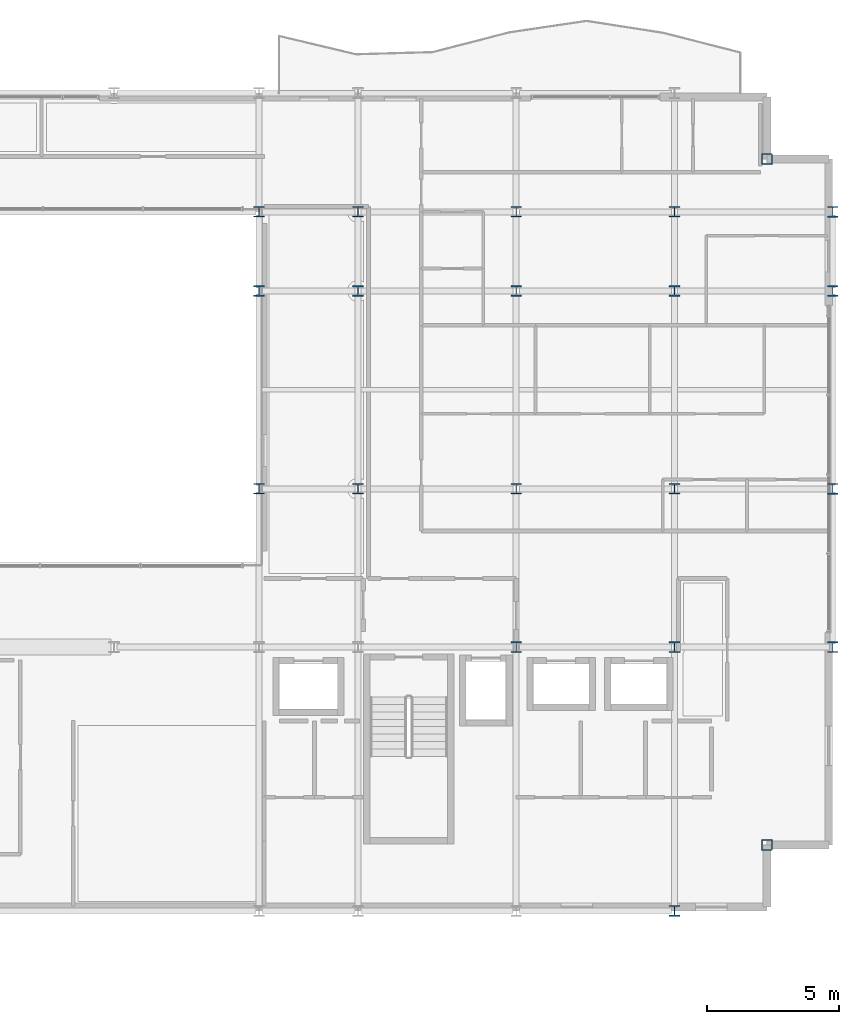
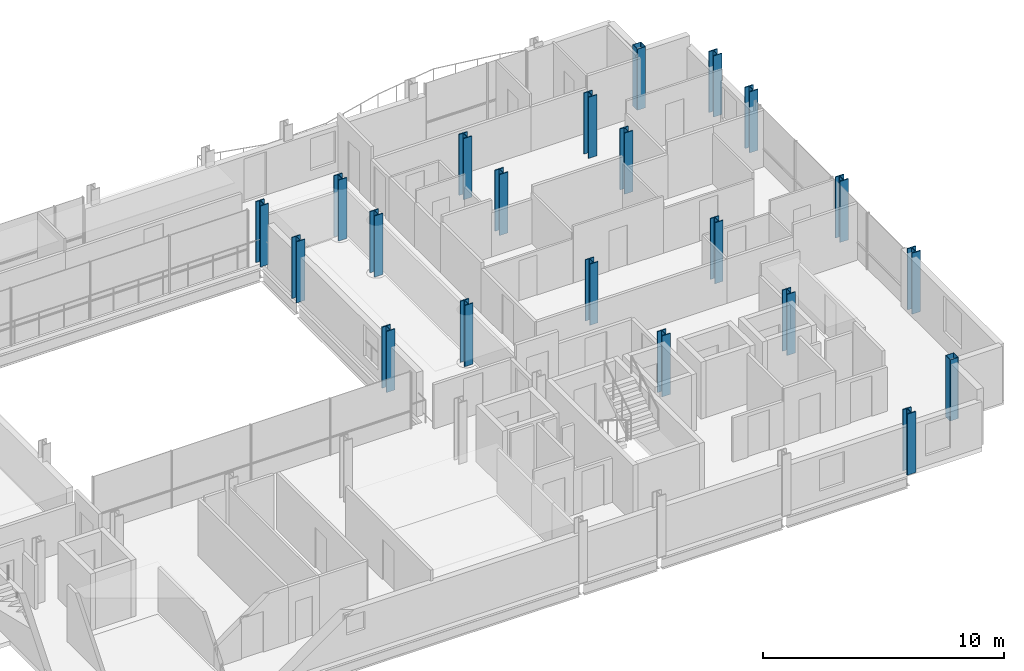
# One storey, part 2 of 41: 21 columns.
"""IFC4 building model written with IfcOpenShell, lengths in metres."""

import ifcopenshell
import ifcopenshell.guid

model = None  # the IFC model being written
_history = None  # IfcOwnerHistory: only IFC2X3 demands one
_inside = {}  # id of a spatial element -> (the spatial element, [elements in it])
_under = {}  # id of a project, library or spatial element -> (it, [spatial elements below it])
_declared = {}  # id of a project -> (the project, [libraries it declares])
_typed = {}  # id of a type object -> (the type object, [elements of that type])
_made_of = {}  # id of a material, layer set ... -> (it, [elements and type objects made of it])


def new_model(schema):
    """Start an empty IFC model of exactly this schema.

    Asked for "IFC4X3", IfcOpenShell would pick the latest addendum, in which some entities
    have other attributes; the version numbers below select the first issue.
    IFC2X3 requires an IfcOwnerHistory on every rooted entity: one is made here for all.
    """
    global model, _history
    if schema == "IFC4X3":
        model = ifcopenshell.file(schema_version=(4, 3, 0, 0))
    else:
        model = ifcopenshell.file(schema=schema)
    _inside.clear()
    _under.clear()
    _declared.clear()
    _typed.clear()
    _made_of.clear()
    _history = None
    if model.schema == "IFC2X3":
        org = make("IfcOrganization", Name="unknown")
        user = make(
            "IfcPersonAndOrganization",
            ThePerson=make("IfcPerson", FamilyName="unknown"),
            TheOrganization=org,
        )
        app = make(
            "IfcApplication",
            ApplicationDeveloper=org,
            Version="unknown",
            ApplicationFullName="unknown",
            ApplicationIdentifier="unknown",
        )
        _history = make(
            "IfcOwnerHistory",
            OwningUser=user,
            OwningApplication=app,
            ChangeAction="ADDED",
            CreationDate=0,
        )
    return model


def make(cls, **values):
    """One entity of the class cls with the attributes given. An attribute that is None is left unset."""
    return model.create_entity(
        cls, **{name: value for name, value in values.items() if value is not None}
    )


def rooted(cls, **values):
    """An entity with a GlobalId (a new one), such as an element, a storey or a relation."""
    return make(cls, GlobalId=ifcopenshell.guid.new(), OwnerHistory=_history, **values)


def si_unit(unit_type, name, prefix=None):
    """IfcSIUnit, for example si_unit("LENGTHUNIT", "METRE", prefix="MILLI")."""
    return make("IfcSIUnit", UnitType=unit_type, Prefix=prefix, Name=name)


def assignment(units):
    """IfcUnitAssignment: the units of a project."""
    return None if units is None else make("IfcUnitAssignment", Units=units)


def point(xyz):
    """IfcCartesianPoint."""
    return None if xyz is None else make("IfcCartesianPoint", Coordinates=xyz)


def direction(xyz):
    """IfcDirection."""
    return None if xyz is None else make("IfcDirection", DirectionRatios=xyz)


def frame(location, z_axis=None, x_axis=None):
    """IfcAxis2Placement3D, a coordinate frame: its origin and axes. An axis left out is left unset."""
    return make(
        "IfcAxis2Placement3D",
        Location=point(location),
        Axis=direction(z_axis),
        RefDirection=direction(x_axis),
    )


def frame_2d(location, x_axis=None):
    """IfcAxis2Placement2D, a coordinate frame in the plane: its origin and x axis."""
    return make(
        "IfcAxis2Placement2D", Location=point(location), RefDirection=direction(x_axis)
    )


def origin():
    """The frame at (0, 0, 0) with its axes left unset."""
    return frame((0.0, 0.0, 0.0))


def origin_2d():
    """The frame at (0, 0) in the plane with its x axis left unset."""
    return frame_2d((0.0, 0.0))


def place(relative_to, where):
    """IfcLocalPlacement: puts the frame where relative to a parent placement (None: the world)."""
    return make(
        "IfcLocalPlacement", PlacementRelTo=relative_to, RelativePlacement=where
    )


def context(
    kind, dimensions, precision=None, world=None, true_north=None, identifier=None
):
    """IfcGeometricRepresentationContext, for example the 3D "Model" context."""
    return make(
        "IfcGeometricRepresentationContext",
        ContextIdentifier=identifier,
        ContextType=kind,
        CoordinateSpaceDimension=dimensions,
        Precision=precision,
        WorldCoordinateSystem=world,
        TrueNorth=true_north,
    )


def subcontext(parent, identifier, kind, view, scale=None):
    """IfcGeometricRepresentationSubContext, for example "Body" below "Model"."""
    return make(
        "IfcGeometricRepresentationSubContext",
        ContextIdentifier=identifier,
        ContextType=kind,
        ParentContext=parent,
        TargetScale=scale,
        TargetView=view,
    )


def project(units=None, contexts=None):
    """IfcProject with its units and contexts."""
    return rooted(
        "IfcProject",
        Name="project",
        RepresentationContexts=contexts,
        UnitsInContext=assignment(units),
    )


def spatial(cls, under=None, at=None, **own):
    """A site, building, storey or space (cls), placed at a placement, below another one or the project."""
    s = rooted(cls, ObjectPlacement=at, **own)
    if under is not None:
        _under.setdefault(under.id(), (under, []))[1].append(s)
    return s


def profile(cls, at=None, kind="AREA", **sizes):
    """A parametric profile (cls). Its sizes go by their IFC names, for example OverallWidth=200.0."""
    return make(cls, ProfileType=kind, Position=at, **sizes)


def hollow_rectangle(**sizes):
    """IfcRectangleHollowProfileDef."""
    return profile("IfcRectangleHollowProfileDef", **sizes)


def i_section(**sizes):
    """IfcIShapeProfileDef."""
    return profile("IfcIShapeProfileDef", **sizes)


def extrude(swept, where, along, depth):
    """IfcExtrudedAreaSolid: the profile swept, set in the frame where, extruded along a direction by depth."""
    return make(
        "IfcExtrudedAreaSolid",
        SweptArea=swept,
        Position=where,
        ExtrudedDirection=direction(along),
        Depth=depth,
    )


def shape(context_of_items, identifier, shape_type, items):
    """IfcShapeRepresentation: the items that make up one representation, for example the "Body"."""
    return make(
        "IfcShapeRepresentation",
        ContextOfItems=context_of_items,
        RepresentationIdentifier=identifier,
        RepresentationType=shape_type,
        Items=items,
    )


def material(Name=None, Category=None):
    """IfcMaterial."""
    return make("IfcMaterial", Name=Name, Category=Category)


def material_profile(
    of_material, cross_section, Name=None, Category=None, Priority=None
):
    """IfcMaterialProfile: a cross section and its material."""
    return make(
        "IfcMaterialProfile",
        Name=Name,
        Material=of_material,
        Profile=cross_section,
        Priority=Priority,
        Category=Category,
    )


def profile_set(profiles, Name=None, composite=None):
    """IfcMaterialProfileSet."""
    return make(
        "IfcMaterialProfileSet",
        Name=Name,
        MaterialProfiles=profiles,
        CompositeProfile=composite,
    )


def made_of(thing, what):
    """Note that an element or type object is made of a material, layer set ...; save() writes the relation."""
    if what is not None:
        _made_of.setdefault(what.id(), (what, []))[1].append(thing)
    return thing


def type_object(cls, material=None, **own):
    """A type object (cls), such as IfcWallType, which elements share."""
    return made_of(rooted(cls, **own), material)


def element(
    cls,
    number,
    at=None,
    inside=None,
    cuts=None,
    type_object=None,
    material=None,
    context=None,
    identifier="Body",
    shape_type=None,
    held_by="IfcProductDefinitionShape",
    body=None,
    shapes=None,
    **own,
):
    """One element of the class cls, such as IfcWall. Its Tag is "e" and its number.

    at: its placement. inside: the storey or other place that contains it. cuts: it is an
    opening in that element (IfcRelVoidsElement). A single representation is given by context,
    identifier, shape_type and body (its items); several are given by shapes. held_by: the class
    of the entity that holds the representations. save() writes the other relations.
    """
    e = rooted(cls, Tag="e%d" % number, ObjectPlacement=at, **own)
    if body is not None:
        shapes = [shape(context, identifier, shape_type, body)]
    if shapes is not None:
        e.Representation = make(held_by, Representations=shapes)
    if inside is not None:
        _inside.setdefault(inside.id(), (inside, []))[1].append(e)
    if cuts is not None:
        rooted(
            "IfcRelVoidsElement", RelatingBuildingElement=cuts, RelatedOpeningElement=e
        )
    if type_object is not None:
        _typed.setdefault(type_object.id(), (type_object, []))[1].append(e)
    return made_of(e, material)


def aggregate(whole, parts):
    """IfcRelAggregates: a whole, such as a stair, and the parts it consists of."""
    return rooted("IfcRelAggregates", RelatingObject=whole, RelatedObjects=parts)


def save(model, path):
    """Write the relations noted so far, then the file.

    IfcRelAggregates (storeys below a building ...), IfcRelContainedInSpatialStructure (elements
    in a storey), IfcRelDefinesByType, IfcRelAssociatesMaterial and IfcRelDeclares: one each for
    every whole, place, type object, material and project.
    """
    for whole, parts in _under.values():
        aggregate(whole, parts)
    for where, things in _inside.values():
        rooted(
            "IfcRelContainedInSpatialStructure",
            RelatedElements=things,
            RelatingStructure=where,
        )
    for kind, things in _typed.values():
        rooted("IfcRelDefinesByType", RelatedObjects=things, RelatingType=kind)
    for what, things in _made_of.values():
        rooted("IfcRelAssociatesMaterial", RelatedObjects=things, RelatingMaterial=what)
    for by, libraries in _declared.values():
        rooted("IfcRelDeclares", RelatingContext=by, RelatedDefinitions=libraries)
    model.write(path)


model = new_model("IFC4")

# Units and contexts
model_context = context("Model", 3, precision=1e-05, world=origin(), true_north=direction((0.0, 1.0)))
body_context = subcontext(model_context, "Body", "Model", "MODEL_VIEW")
ifc_project = project(units=[si_unit("LENGTHUNIT", "METRE"), si_unit("AREAUNIT", "SQUARE_METRE"), si_unit("VOLUMEUNIT", "CUBIC_METRE"), si_unit("PLANEANGLEUNIT", "RADIAN"), si_unit("MASSUNIT", "GRAM", prefix="KILO")], contexts=[model_context])

# Site, building, storey
site_placement = place(None, origin())
site = spatial("IfcSite", under=ifc_project, at=site_placement, CompositionType="ELEMENT")
building_placement = place(site_placement, origin())
building = spatial("IfcBuilding", under=site, at=building_placement, Name="Brevholm Reach", CompositionType="ELEMENT")
storey_placement = place(building_placement, frame((0.0, 0.0, 157.300048828125)))
storey = spatial("IfcBuildingStorey", under=building, at=storey_placement, Name="L47", CompositionType="ELEMENT", Elevation=157.300048828125)

# Columns
ifc_material_1 = material(Name="Structural Steel S460NH", Category="steel")
ifc_material_profile_1 = material_profile(ifc_material_1, hollow_rectangle(XDim=0.39990234375, YDim=0.39990234375, WallThickness=0.02001953125, InnerFilletRadius=0.011962890625, OuterFilletRadius=0.02392578125, at=origin_2d()), Name="SHS 400x400x20")
ifc_profile_set_1 = profile_set([ifc_material_profile_1], Name="Structural Steel S460NH")
column_type_1 = type_object("IfcColumnType", Name="COL-SHS2", PredefinedType="COLUMN", material=ifc_profile_set_1)
for number, where, z_axis, x_axis, name in (
    (1, (57.5, 2.5, 0.0), (0.0, 0.0, 1.0), (1.0, 0.0, 0.0), "L47 Column 59"),
    (2, (57.5, 28.5, 0.0), (0.0, 0.0, 1.0), (1.0, 0.0, 0.0), "L47 Column 60"),
):
    element("IfcColumn", number, at=place(storey_placement, frame(where, z_axis=z_axis, x_axis=x_axis)), inside=storey, type_object=column_type_1, Name=name, PredefinedType="COLUMN", context=body_context, shape_type="SweptSolid", body=[
        extrude(hollow_rectangle(XDim=0.39990234375, YDim=0.39990234375, WallThickness=0.02001953125, InnerFilletRadius=0.011962890625, OuterFilletRadius=0.02392578125, at=origin_2d()), origin(), (0.0, 0.0, 1.0), 3.099853515625),
    ])
ifc_material_2 = material(Name="Structural Steel S355J2", Category="steel")
ifc_material_profile_2 = material_profile(ifc_material_2, i_section(OverallWidth=0.406982421875, OverallDepth=0.4189453125, WebThickness=0.030517578125, FlangeThickness=0.04931640625, FilletRadius=0.01513671875, at=origin_2d()), Name="UKC 356x406x393")
ifc_profile_set_2 = profile_set([ifc_material_profile_2], Name="Structural Steel S355J2")
column_type_2 = type_object("IfcColumnType", Name="COL-UC4", PredefinedType="COLUMN", material=ifc_profile_set_2)
for number, where, z_axis, x_axis, name in (
    (3, (54.0, 0.0, 0.0), (0.0, 0.0, 1.0), (1.0, 0.0, 0.0), "L47 Column 53"),
    (4, (60.0, 10.0, 0.0), (0.0, 0.0, 1.0), (1.0, 0.0, 0.0), "L47 Column 61"),
    (5, (60.0, 16.0, 0.0), (0.0, 0.0, 1.0), (1.0, 0.0, 0.0), "L47 Column 62"),
    (6, (60.0, 23.5, 0.0), (0.0, 0.0, 1.0), (1.0, 0.0, 0.0), "L47 Column 63"),
    (7, (60.0, 26.5, 0.0), (0.0, 0.0, 1.0), (1.0, 0.0, 0.0), "L47 Column 64"),
):
    element("IfcColumn", number, at=place(storey_placement, frame(where, z_axis=z_axis, x_axis=x_axis)), inside=storey, type_object=column_type_2, Name=name, PredefinedType="COLUMN", context=body_context, shape_type="SweptSolid", body=[
        extrude(i_section(OverallWidth=0.406982421875, OverallDepth=0.4189453125, WebThickness=0.030517578125, FlangeThickness=0.04931640625, FilletRadius=0.01513671875, at=origin_2d()), origin(), (0.0, 0.0, 1.0), 3.099853515625),
    ])
ifc_material_3 = material(Name="Structural Steel S355J2", Category="steel")
ifc_material_profile_3 = material_profile(ifc_material_3, i_section(OverallWidth=0.403076171875, OverallDepth=0.406494140625, WebThickness=0.026611328125, FlangeThickness=0.04296875, FilletRadius=0.01513671875, at=origin_2d()), Name="UKC 356x406x340")
ifc_profile_set_3 = profile_set([ifc_material_profile_3], Name="Structural Steel S355J2")
column_type_3 = type_object("IfcColumnType", Name="COL-UC5", PredefinedType="COLUMN", material=ifc_profile_set_3)
for number, where, z_axis, x_axis, name in (
    (8, (38.25, 16.0, 0.0), (0.0, 0.0, 1.0), (1.0, 0.0, 0.0), "L47 Column 37"),
    (9, (38.25, 23.5, 0.0), (0.0, 0.0, 1.0), (1.0, 0.0, 0.0), "L47 Column 38"),
    (10, (38.25, 26.5, 0.0), (0.0, 0.0, 1.0), (1.0, 0.0, 0.0), "L47 Column 39"),
    (11, (42.0, 16.0, 0.0), (0.0, 0.0, 1.0), (1.0, 0.0, 0.0), "L47 Column 43"),
    (12, (42.0, 23.5, 0.0), (0.0, 0.0, 1.0), (1.0, 0.0, 0.0), "L47 Column 44"),
    (13, (42.0, 26.5, 0.0), (0.0, 0.0, 1.0), (1.0, 0.0, 0.0), "L47 Column 45"),
    (14, (48.0, 10.0, 0.0), (0.0, 0.0, 1.0), (1.0, 0.0, 0.0), "L47 Column 48"),
    (15, (48.0, 16.0, 0.0), (0.0, 0.0, 1.0), (1.0, 0.0, 0.0), "L47 Column 49"),
    (16, (48.0, 23.5, 0.0), (0.0, 0.0, 1.0), (1.0, 0.0, 0.0), "L47 Column 50"),
    (17, (48.0, 26.5, 0.0), (0.0, 0.0, 1.0), (1.0, 0.0, 0.0), "L47 Column 51"),
    (18, (54.0, 10.0, 0.0), (0.0, 0.0, 1.0), (1.0, 0.0, 0.0), "L47 Column 54"),
    (19, (54.0, 16.0, 0.0), (0.0, 0.0, 1.0), (1.0, 0.0, 0.0), "L47 Column 55"),
    (20, (54.0, 23.5, 0.0), (0.0, 0.0, 1.0), (1.0, 0.0, 0.0), "L47 Column 56"),
    (21, (54.0, 26.5, 0.0), (0.0, 0.0, 1.0), (1.0, 0.0, 0.0), "L47 Column 57"),
):
    element("IfcColumn", number, at=place(storey_placement, frame(where, z_axis=z_axis, x_axis=x_axis)), inside=storey, type_object=column_type_3, Name=name, PredefinedType="COLUMN", context=body_context, shape_type="SweptSolid", body=[
        extrude(i_section(OverallWidth=0.403076171875, OverallDepth=0.406494140625, WebThickness=0.026611328125, FlangeThickness=0.04296875, FilletRadius=0.01513671875, at=origin_2d()), origin(), (0.0, 0.0, 1.0), 3.099853515625),
    ])

save(model, "model.ifc")
